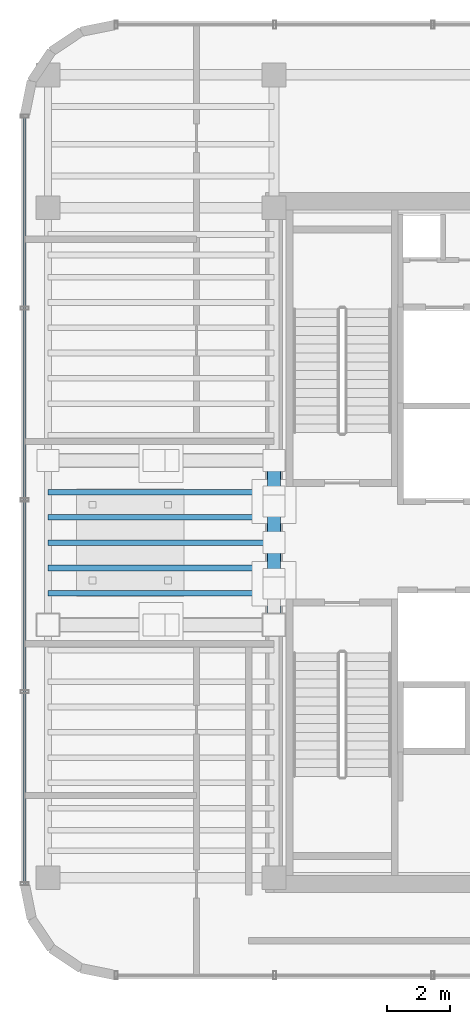
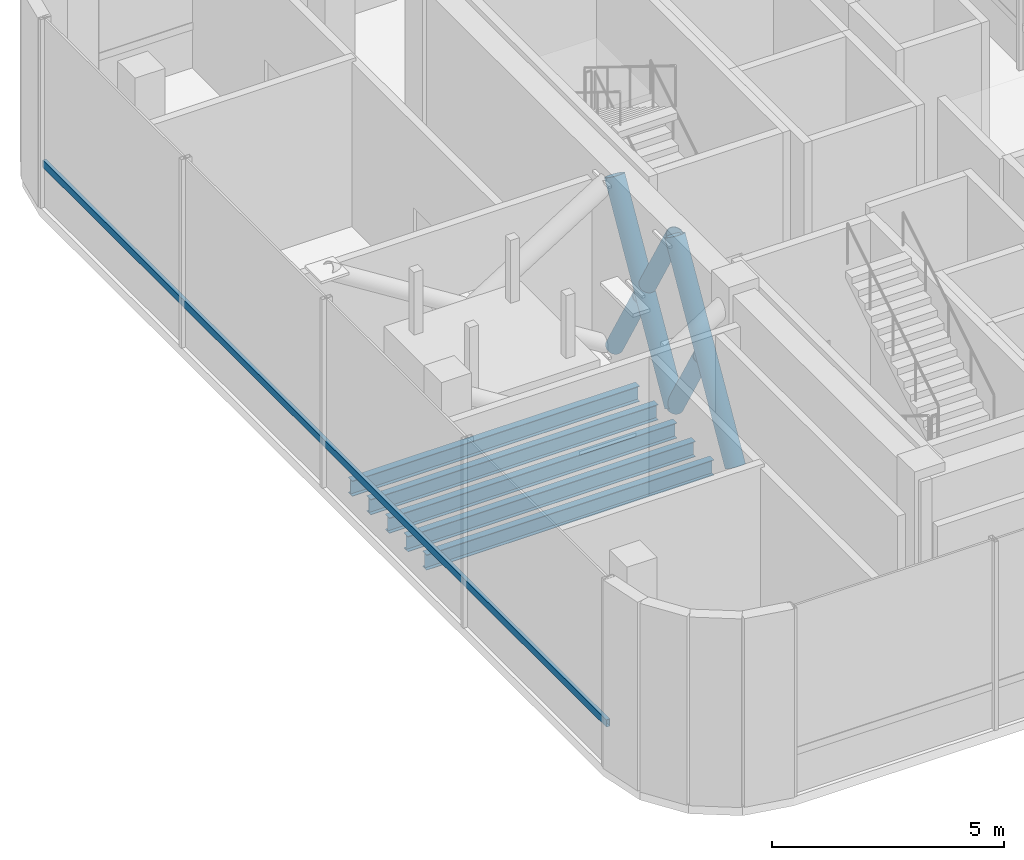
# One storey, part 4 of 13: 6 members, 5 beams, 1 element without a shape of its own.
"""IFC4 building model written with IfcOpenShell, lengths in metres."""

from ifc_helpers import new_model, si_unit, direction, frame, origin, origin_2d, place, context, subcontext, project, spatial, hollow_rectangle, hollow_circle, i_section, extrude, source, transform, mapped, material, material_profile, profile_set, type_object, element, aggregate, save


model = new_model("IFC4")

# Units and contexts
model_context = context("Model", 3, precision=1e-05, world=origin(), true_north=direction((0.0, 1.0)))
body_context = subcontext(model_context, "Body", "Model", "MODEL_VIEW")
ifc_project = project(units=[si_unit("LENGTHUNIT", "METRE"), si_unit("AREAUNIT", "SQUARE_METRE"), si_unit("VOLUMEUNIT", "CUBIC_METRE"), si_unit("PLANEANGLEUNIT", "RADIAN"), si_unit("MASSUNIT", "GRAM", prefix="KILO")], contexts=[model_context])

# Site, building, storey
site_placement = place(None, origin())
site = spatial("IfcSite", under=ifc_project, at=site_placement, CompositionType="ELEMENT")
building_placement = place(site_placement, origin())
building = spatial("IfcBuilding", under=site, at=building_placement, Name="Valdorenza Pilgrim Sanctuary Tower", CompositionType="ELEMENT")
storey_placement = place(building_placement, frame((0.0, 0.0, 294.199951171875)))
storey = spatial("IfcBuildingStorey", under=building, at=storey_placement, Name="L77", CompositionType="ELEMENT", Elevation=294.199951171875)

# Beams
ifc_material_1 = material(Name="Steel ASTM A992 Grade 50", Category="steel")
ifc_material_profile_1 = material_profile(ifc_material_1, i_section(OverallWidth=0.177978515625, OverallDepth=0.406005859375, WebThickness=0.0078125, FlangeThickness=0.0126953125, at=origin_2d()), Name="W16X40")
ifc_profile_set_1 = profile_set([ifc_material_profile_1], Name="Steel ASTM A992 Grade 50")
beam_type = type_object("IfcBeamType", Name="STR-BM-JST-W16", PredefinedType="JOIST", material=ifc_profile_set_1)
shared_shape_1 = source(origin(), body_context, "Body", "SweptSolid", [
    extrude(i_section(OverallWidth=0.177978515625, OverallDepth=0.406005859375, WebThickness=0.0078125, FlangeThickness=0.0126953125, at=origin_2d()), origin(), (0.0, 0.0, 1.0), 7.150146484375),
])
for number, where, z_axis, x_axis, name in (
    (1, (-29.800048828125, -1.60009765625, -0.44287109375), (1.0, 0.0, 0.0), (0.0, 1.0, 0.0), "L77 Composite Floor Joist JST-WA-10"),
    (2, (-29.800048828125, -0.800048828125, -0.44287109375), (1.0, 0.0, 0.0), (0.0, 1.0, 0.0), "L77 Composite Floor Joist JST-WA-11"),
    (3, (-29.800048828125, 0.0, -0.44287109375), (1.0, 0.0, 0.0), (0.0, 1.0, 0.0), "L77 Composite Floor Joist JST-WA-12"),
    (4, (-29.800048828125, 0.800048828125, -0.44287109375), (1.0, 0.0, 0.0), (0.0, 1.0, 0.0), "L77 Composite Floor Joist JST-WA-13"),
    (5, (-29.800048828125, 1.60009765625, -0.44287109375), (1.0, 0.0, 0.0), (0.0, 1.0, 0.0), "L77 Composite Floor Joist JST-WA-14"),
):
    element("IfcBeam", number, at=place(storey_placement, frame(where, z_axis=z_axis, x_axis=x_axis)), inside=storey, type_object=beam_type, Name=name, PredefinedType="JOIST", context=body_context, shape_type="MappedRepresentation", body=[
        mapped(shared_shape_1, transform((0.0, 0.0, 0.0), x_axis=(1.0, 0.0, 0.0), y_axis=(0.0, 1.0, 0.0), z_axis=(0.0, 0.0, 1.0), scale=1.0)),
    ])

# Members
ifc_material_2 = material(Name="Steel S355J2", Category="steel")
ifc_material_profile_2 = material_profile(ifc_material_2, hollow_circle(Radius=0.228515625, WallThickness=0.01611328125, at=origin_2d()), Name="CHS 457x16")
ifc_profile_set_2 = profile_set([ifc_material_profile_2], Name="Steel S355J2")
member_type_1 = type_object("IfcMemberType", Name="STR-MB-CHS-457", PredefinedType="MEMBER", material=ifc_profile_set_2)
shared_shape_2 = source(origin(), body_context, "Body", "SweptSolid", [
    extrude(hollow_circle(Radius=0.228515625, WallThickness=0.01611328125, at=origin_2d()), origin(), (0.0, 0.0, 1.0), 5.197265625),
])
for number, where, z_axis, x_axis, name in (
    (6, (-22.64990234375, -2.60009765625, 0.150146484375), (0.0, 0.500291685314, 0.865856933682), (-1.0, 0.0, 0.0), "Tuned Mass Damper TMD-1 Cradle Brace 3"),
    (7, (-22.64990234375, 0.0, 0.150146484375), (0.0, 0.500291685314, 0.865856933682), (-1.0, 0.0, 0.0), "Tuned Mass Damper TMD-1 Cradle Brace 4"),
):
    element("IfcMember", number, at=place(storey_placement, frame(where, z_axis=z_axis, x_axis=x_axis)), inside=storey, type_object=member_type_1, Name=name, PredefinedType="MEMBER", context=body_context, shape_type="MappedRepresentation", body=[
        mapped(shared_shape_2, transform((0.0, 0.0, 0.0), x_axis=(1.0, 0.0, 0.0), y_axis=(0.0, 1.0, 0.0), z_axis=(0.0, 0.0, 1.0), scale=1.0)),
    ])
ifc_material_profile_3 = material_profile(ifc_material_2, hollow_circle(Radius=0.203125, WallThickness=0.01611328125, at=origin_2d()), Name="CHS 406.4x16")
ifc_profile_set_3 = profile_set([ifc_material_profile_3], Name="Steel S355J2")
member_type_2 = type_object("IfcMemberType", Name="STR-MB-CHS-406", PredefinedType="STRUT", material=ifc_profile_set_3)
shared_shape_3 = source(origin(), body_context, "Body", "SweptSolid", [
    extrude(hollow_circle(Radius=0.203125, WallThickness=0.01611328125, at=origin_2d()), origin(), (0.0, 0.0, 1.0), 2.322509765625),
])
for number, where, z_axis, x_axis, name in (
    (8, (-22.64990234375, 0.0, 0.150146484375), (0.0, -0.50034414415, 0.865826620874), (1.0, 0.0, 0.0), "Tuned Mass Damper TMD-1 Damping Strut 3 Lower Segment"),
    (9, (-22.64990234375, 2.60009765625, 0.150146484375), (0.0, -0.50034414415, 0.865826620874), (1.0, 0.0, 0.0), "Tuned Mass Damper TMD-1 Damping Strut 4 Lower Segment"),
):
    element("IfcMember", number, at=place(storey_placement, frame(where, z_axis=z_axis, x_axis=x_axis)), inside=storey, type_object=member_type_2, Name=name, PredefinedType="STRUT", context=body_context, shape_type="MappedRepresentation", body=[
        mapped(shared_shape_3, transform((0.0, 0.0, 0.0), x_axis=(1.0, 0.0, 0.0), y_axis=(0.0, 1.0, 0.0), z_axis=(0.0, 0.0, 1.0), scale=1.0)),
    ])
shared_shape_4 = source(origin(), body_context, "Body", "SweptSolid", [
    extrude(hollow_circle(Radius=0.203125, WallThickness=0.01611328125, at=origin_2d()), origin(), (0.0, 0.0, 1.0), 2.32275390625),
])
member_1_placement = place(storey_placement, frame((-22.64990234375, 1.162109375, 2.638916015625), z_axis=(0.0, -0.500298610895, 0.865852932048), x_axis=(1.0, 0.0, 0.0)))
element("IfcMember", 10, at=member_1_placement, inside=storey, type_object=member_type_2, Name="Tuned Mass Damper TMD-1 Damping Strut 4 Upper Segment", PredefinedType="STRUT", context=body_context, shape_type="MappedRepresentation", body=[
    mapped(shared_shape_4, transform((0.0, 0.0, 0.0), x_axis=(1.0, 0.0, 0.0), y_axis=(0.0, 1.0, 0.0), z_axis=(0.0, 0.0, 1.0), scale=1.0)),
])

# Curtain wall, member
ifc_material_3 = material(Name="Curtain-wall IGU glazing", Category="glass")
curtain_wall_type = type_object("IfcCurtainWallType", Name="CW-SYS-06", PredefinedType="NOTDEFINED", material=ifc_material_3)
curtain_wall_placement = place(storey_placement, origin())
curtain_wall = element("IfcCurtainWall", 11, at=curtain_wall_placement, inside=storey, type_object=curtain_wall_type, Name="L77 Curtain Wall CW-L77-1-1", PredefinedType="NOTDEFINED")
ifc_material_4 = material(Name="Anodised aluminium AW-6060", Category="aluminium")
ifc_material_profile_4 = material_profile(ifc_material_4, hollow_rectangle(XDim=0.090087890625, YDim=0.18994140625, WallThickness=0.00439453125, at=origin_2d()), Name="ALU-T 190x90x4.5")
ifc_profile_set_4 = profile_set([ifc_material_profile_4], Name="Anodised aluminium AW-6060")
member_type_3 = type_object("IfcMemberType", Name="CW-TRN-06", PredefinedType="USERDEFINED", material=ifc_profile_set_4)
shared_shape_5 = source(origin(), body_context, "Body", "SweptSolid", [
    extrude(hollow_rectangle(XDim=0.090087890625, YDim=0.18994140625, WallThickness=0.00439453125, at=origin_2d()), origin(), (0.0, 0.0, 1.0), 24.278564453125),
])
member_2_placement = place(storey_placement, frame((-30.5400390625, -10.789306640625, 1.1201171875), z_axis=(0.0, 1.0, 0.0), x_axis=(-1.0, 0.0, 0.0)))
member_2 = element("IfcMember", 12, at=member_2_placement, type_object=member_type_3, Name="CW-L77-1-1 Transom 1", ObjectType="TRANSOM", PredefinedType="USERDEFINED", context=body_context, shape_type="MappedRepresentation", body=[
    mapped(shared_shape_5, transform((0.0, 0.0, 0.0), x_axis=(1.0, 0.0, 0.0), y_axis=(0.0, 1.0, 0.0), z_axis=(0.0, 0.0, 1.0), scale=1.0)),
])
aggregate(curtain_wall, [member_2])

save(model, "model.ifc")
